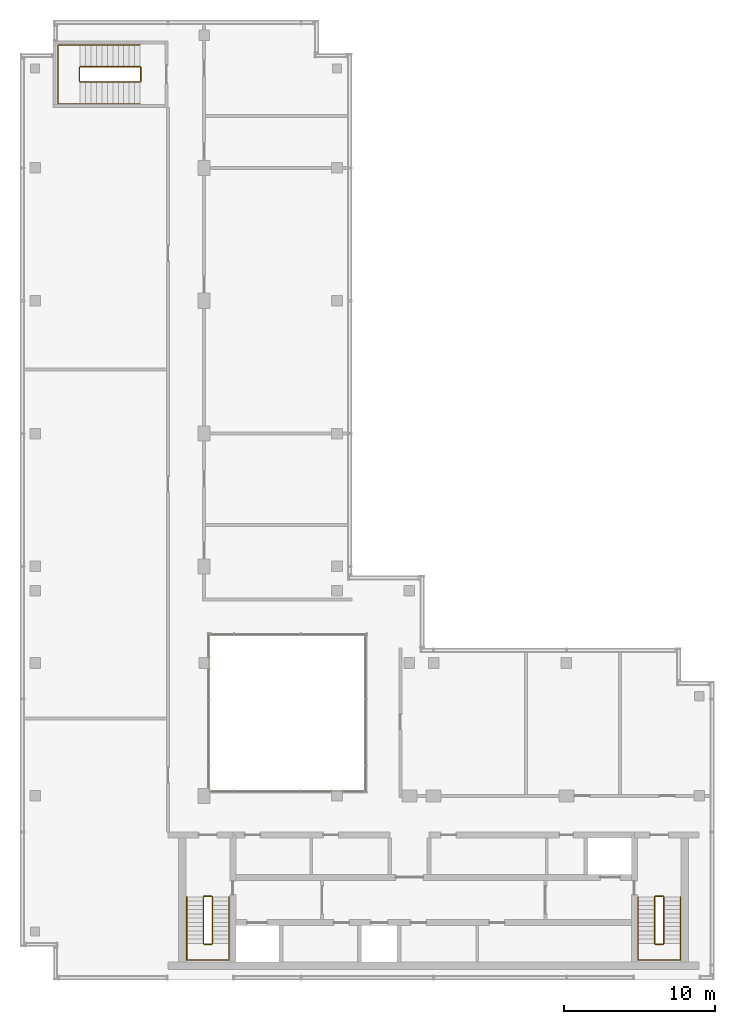
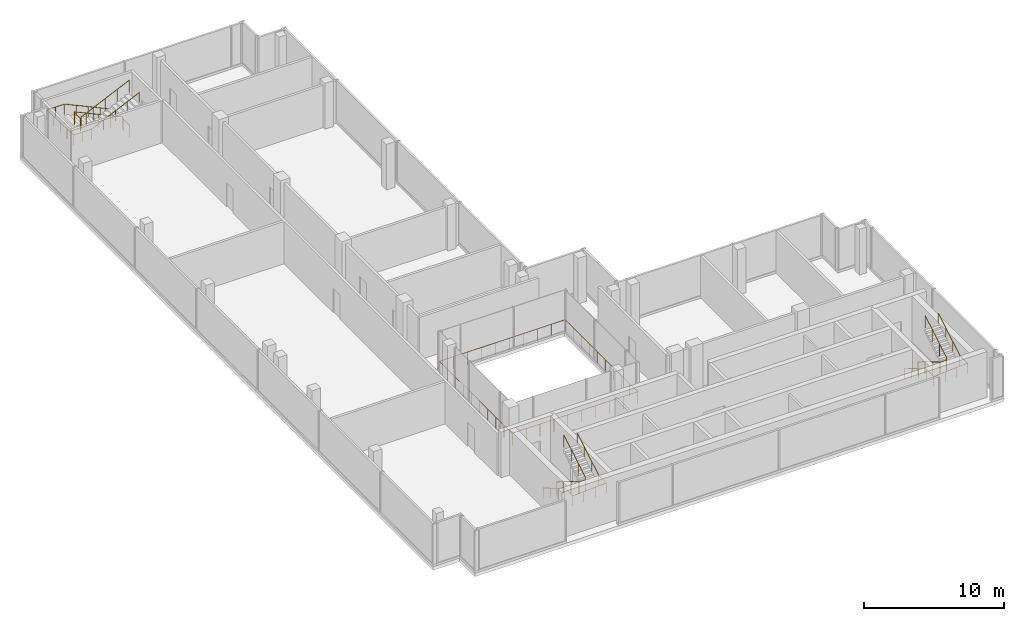
# One storey, part 11 of 11: 7 railings.
"""IFC4 building model written with IfcOpenShell, lengths in metres."""

from ifc_helpers import new_model, si_unit, direction, frame, origin, origin_2d, place, context, subcontext, project, spatial, circle, extrude, material, type_object, element, save


model = new_model("IFC4")

# Units and contexts
model_context = context("Model", 3, precision=1e-05, world=origin(), true_north=direction((0.0, 1.0)))
body_context = subcontext(model_context, "Body", "Model", "MODEL_VIEW")
ifc_project = project(units=[si_unit("LENGTHUNIT", "METRE"), si_unit("AREAUNIT", "SQUARE_METRE"), si_unit("VOLUMEUNIT", "CUBIC_METRE"), si_unit("PLANEANGLEUNIT", "RADIAN"), si_unit("MASSUNIT", "GRAM", prefix="KILO")], contexts=[model_context])

# Site, building, storey
site_placement = place(None, origin())
site = spatial("IfcSite", under=ifc_project, at=site_placement, CompositionType="ELEMENT")
building_placement = place(site_placement, origin())
building = spatial("IfcBuilding", under=site, at=building_placement, Name="Kemantara Hotel Tower", CompositionType="ELEMENT")
storey_placement = place(building_placement, frame((0.0, 0.0, 322.199951171875)))
storey = spatial("IfcBuildingStorey", under=building, at=storey_placement, Name="L81", CompositionType="ELEMENT", Elevation=322.199951171875)

# Railings
ifc_material = material(Name="Stainless steel balustrade", Category="steel")
railing_type_1 = type_object("IfcRailingType", Name="STAINLESS STEEL GUARD 1100", PredefinedType="GUARDRAIL", material=ifc_material)
railing_1_placement = place(storey_placement, frame((12.5, 12.5, 0.0)))
element("IfcRailing", 1, at=railing_1_placement, inside=storey, type_object=railing_type_1, Name="ATRIUM GUARD", PredefinedType="GUARDRAIL", context=body_context, shape_type="SweptSolid", body=[
    extrude(circle(Radius=0.02392578125, at=origin_2d()), frame((0.0, 0.0, 1.076171875), z_axis=(1.0, 0.0, 0.0), x_axis=(0.0, 1.0, 0.0)), (0.0, 0.0, 1.0), 10.39990234375),
    extrude(circle(Radius=0.02392578125, at=origin_2d()), frame((10.39990234375, 0.0, 1.076171875), z_axis=(0.0, 1.0, 0.0), x_axis=(-1.0, 0.0, 0.0)), (0.0, 0.0, 1.0), 10.39990234375),
    extrude(circle(Radius=0.02392578125, at=origin_2d()), frame((10.39990234375, 10.39990234375, 1.076171875), z_axis=(-1.0, 0.0, 0.0), x_axis=(0.0, -1.0, 0.0)), (0.0, 0.0, 1.0), 10.39990234375),
    extrude(circle(Radius=0.02392578125, at=origin_2d()), frame((0.0, 10.39990234375, 1.076171875), z_axis=(0.0, -1.0, 0.0), x_axis=(1.0, 0.0, 0.0)), (0.0, 0.0, 1.0), 10.39990234375),
    extrude(circle(Radius=0.02099609375, at=origin_2d()), origin(), (0.0, 0.0, 1.0), 1.052001953125),
    extrude(circle(Radius=0.02099609375, at=origin_2d()), frame((1.155517578125, 0.0, 0.0)), (0.0, 0.0, 1.0), 1.052001953125),
    extrude(circle(Radius=0.02099609375, at=origin_2d()), frame((2.31103515625, 0.0, 0.0)), (0.0, 0.0, 1.0), 1.052001953125),
    extrude(circle(Radius=0.02099609375, at=origin_2d()), frame((3.466552734375, 0.0, 0.0)), (0.0, 0.0, 1.0), 1.052001953125),
    extrude(circle(Radius=0.02099609375, at=origin_2d()), frame((4.6220703125, 0.0, 0.0)), (0.0, 0.0, 1.0), 1.052001953125),
    extrude(circle(Radius=0.02099609375, at=origin_2d()), frame((5.77783203125, 0.0, 0.0)), (0.0, 0.0, 1.0), 1.052001953125),
    extrude(circle(Radius=0.02099609375, at=origin_2d()), frame((6.933349609375, 0.0, 0.0)), (0.0, 0.0, 1.0), 1.052001953125),
    extrude(circle(Radius=0.02099609375, at=origin_2d()), frame((8.0888671875, 0.0, 0.0)), (0.0, 0.0, 1.0), 1.052001953125),
    extrude(circle(Radius=0.02099609375, at=origin_2d()), frame((9.244384765625, 0.0, 0.0)), (0.0, 0.0, 1.0), 1.052001953125),
    extrude(circle(Radius=0.02099609375, at=origin_2d()), frame((10.39990234375, 0.0, 0.0)), (0.0, 0.0, 1.0), 1.052001953125),
    extrude(circle(Radius=0.02099609375, at=origin_2d()), frame((10.39990234375, 1.155517578125, 0.0)), (0.0, 0.0, 1.0), 1.052001953125),
    extrude(circle(Radius=0.02099609375, at=origin_2d()), frame((10.39990234375, 2.31103515625, 0.0)), (0.0, 0.0, 1.0), 1.052001953125),
    extrude(circle(Radius=0.02099609375, at=origin_2d()), frame((10.39990234375, 3.466552734375, 0.0)), (0.0, 0.0, 1.0), 1.052001953125),
    extrude(circle(Radius=0.02099609375, at=origin_2d()), frame((10.39990234375, 4.6220703125, 0.0)), (0.0, 0.0, 1.0), 1.052001953125),
    extrude(circle(Radius=0.02099609375, at=origin_2d()), frame((10.39990234375, 5.77783203125, 0.0)), (0.0, 0.0, 1.0), 1.052001953125),
    extrude(circle(Radius=0.02099609375, at=origin_2d()), frame((10.39990234375, 6.933349609375, 0.0)), (0.0, 0.0, 1.0), 1.052001953125),
    extrude(circle(Radius=0.02099609375, at=origin_2d()), frame((10.39990234375, 8.0888671875, 0.0)), (0.0, 0.0, 1.0), 1.052001953125),
    extrude(circle(Radius=0.02099609375, at=origin_2d()), frame((10.39990234375, 9.244384765625, 0.0)), (0.0, 0.0, 1.0), 1.052001953125),
    extrude(circle(Radius=0.02099609375, at=origin_2d()), frame((10.39990234375, 10.39990234375, 0.0)), (0.0, 0.0, 1.0), 1.052001953125),
    extrude(circle(Radius=0.02099609375, at=origin_2d()), frame((9.244384765625, 10.39990234375, 0.0)), (0.0, 0.0, 1.0), 1.052001953125),
    extrude(circle(Radius=0.02099609375, at=origin_2d()), frame((8.0888671875, 10.39990234375, 0.0)), (0.0, 0.0, 1.0), 1.052001953125),
    extrude(circle(Radius=0.02099609375, at=origin_2d()), frame((6.933349609375, 10.39990234375, 0.0)), (0.0, 0.0, 1.0), 1.052001953125),
    extrude(circle(Radius=0.02099609375, at=origin_2d()), frame((5.77783203125, 10.39990234375, 0.0)), (0.0, 0.0, 1.0), 1.052001953125),
    extrude(circle(Radius=0.02099609375, at=origin_2d()), frame((4.6220703125, 10.39990234375, 0.0)), (0.0, 0.0, 1.0), 1.052001953125),
    extrude(circle(Radius=0.02099609375, at=origin_2d()), frame((3.466552734375, 10.39990234375, 0.0)), (0.0, 0.0, 1.0), 1.052001953125),
    extrude(circle(Radius=0.02099609375, at=origin_2d()), frame((2.31103515625, 10.39990234375, 0.0)), (0.0, 0.0, 1.0), 1.052001953125),
    extrude(circle(Radius=0.02099609375, at=origin_2d()), frame((1.155517578125, 10.39990234375, 0.0)), (0.0, 0.0, 1.0), 1.052001953125),
    extrude(circle(Radius=0.02099609375, at=origin_2d()), frame((0.0, 10.39990234375, 0.0)), (0.0, 0.0, 1.0), 1.052001953125),
    extrude(circle(Radius=0.02099609375, at=origin_2d()), frame((0.0, 9.244384765625, 0.0)), (0.0, 0.0, 1.0), 1.052001953125),
    extrude(circle(Radius=0.02099609375, at=origin_2d()), frame((0.0, 8.0888671875, 0.0)), (0.0, 0.0, 1.0), 1.052001953125),
    extrude(circle(Radius=0.02099609375, at=origin_2d()), frame((0.0, 6.933349609375, 0.0)), (0.0, 0.0, 1.0), 1.052001953125),
    extrude(circle(Radius=0.02099609375, at=origin_2d()), frame((0.0, 5.77783203125, 0.0)), (0.0, 0.0, 1.0), 1.052001953125),
    extrude(circle(Radius=0.02099609375, at=origin_2d()), frame((0.0, 4.6220703125, 0.0)), (0.0, 0.0, 1.0), 1.052001953125),
    extrude(circle(Radius=0.02099609375, at=origin_2d()), frame((0.0, 3.466552734375, 0.0)), (0.0, 0.0, 1.0), 1.052001953125),
    extrude(circle(Radius=0.02099609375, at=origin_2d()), frame((0.0, 2.31103515625, 0.0)), (0.0, 0.0, 1.0), 1.052001953125),
    extrude(circle(Radius=0.02099609375, at=origin_2d()), frame((0.0, 1.155517578125, 0.0)), (0.0, 0.0, 1.0), 1.052001953125),
])
railing_type_2 = type_object("IfcRailingType", Name="Stair guard 1100 mm", PredefinedType="GUARDRAIL", material=ifc_material)
railing_2_placement = place(storey_placement, frame((12.75, 5.5, 4.0)))
element("IfcRailing", 2, at=railing_2_placement, inside=storey, type_object=railing_type_2, Name="L81 ST1 stair guard 1", PredefinedType="GUARDRAIL", context=body_context, shape_type="SweptSolid", body=[
    extrude(circle(Radius=0.02392578125, at=origin_2d()), frame((0.0, 0.0, 1.076171875), z_axis=(0.0, -0.859308565015, -0.511457515432), x_axis=(1.0, 0.0, 0.0)), (0.0, 0.0, 1.0), 3.58447265625),
    extrude(circle(Radius=0.02392578125, at=origin_2d()), frame((0.0, -3.080078125, -0.75732421875), z_axis=(-0.276389281352, -0.275041040955, -0.920848191041), x_axis=(0.705375805398, -0.708833529934, 0.0)), (0.0, 0.0, 1.0), 0.18115234375),
    extrude(circle(Radius=0.02392578125, at=origin_2d()), frame((-0.050048828125, -3.1298828125, -0.923828125), z_axis=(-1.0, 0.0, 0.0), x_axis=(0.0, -1.0, 0.0)), (0.0, 0.0, 1.0), 0.5),
    extrude(circle(Radius=0.02392578125, at=origin_2d()), frame((-0.550048828125, -3.1298828125, -0.923828125), z_axis=(-0.708833529934, 0.705375805398, 0.0), x_axis=(-0.705375805398, -0.708833529934, 0.0)), (0.0, 0.0, 1.0), 0.070556640625),
    extrude(circle(Radius=0.02392578125, at=origin_2d()), frame((-0.60009765625, -3.080078125, -0.923828125), z_axis=(0.0, 0.859308565015, -0.511457515432), x_axis=(-1.0, 0.0, 0.0)), (0.0, 0.0, 1.0), 3.58447265625),
    extrude(circle(Radius=0.02392578125, at=origin_2d()), frame((-0.60009765625, 0.0, -2.75732421875), z_axis=(0.27628659633, 0.27628659633, -0.920506074601), x_axis=(-0.707106781187, 0.707106781187, 0.0)), (0.0, 0.0, 1.0), 0.18115234375),
    extrude(circle(Radius=0.02392578125, at=origin_2d()), frame((-0.550048828125, 0.050048828125, -2.923828125), z_axis=(1.0, 0.0, 0.0), x_axis=(0.0, 1.0, 0.0)), (0.0, 0.0, 1.0), 0.5),
    extrude(circle(Radius=0.02099609375, at=origin_2d()), origin(), (0.0, 0.0, 1.0), 1.052001953125),
    extrude(circle(Radius=0.02099609375, at=origin_2d()), frame((0.0, -1.026611328125, -0.611083984375)), (0.0, 0.0, 1.0), 1.052001953125),
    extrude(circle(Radius=0.02099609375, at=origin_2d()), frame((0.0, -2.053466796875, -1.22216796875)), (0.0, 0.0, 1.0), 1.052001953125),
    extrude(circle(Radius=0.02099609375, at=origin_2d()), frame((0.0, -3.080078125, -1.833251953125)), (0.0, 0.0, 1.0), 1.052001953125),
    extrude(circle(Radius=0.02099609375, at=origin_2d()), frame((-0.050048828125, -3.1298828125, -2.0)), (0.0, 0.0, 1.0), 1.052001953125),
    extrude(circle(Radius=0.02099609375, at=origin_2d()), frame((-0.550048828125, -3.1298828125, -2.0)), (0.0, 0.0, 1.0), 1.052001953125),
    extrude(circle(Radius=0.02099609375, at=origin_2d()), frame((-0.60009765625, -3.080078125, -2.0)), (0.0, 0.0, 1.0), 1.052001953125),
    extrude(circle(Radius=0.02099609375, at=origin_2d()), frame((-0.60009765625, -2.053466796875, -2.611083984375)), (0.0, 0.0, 1.0), 1.052001953125),
    extrude(circle(Radius=0.02099609375, at=origin_2d()), frame((-0.60009765625, -1.026611328125, -3.22216796875)), (0.0, 0.0, 1.0), 1.052001953125),
    extrude(circle(Radius=0.02099609375, at=origin_2d()), frame((-0.60009765625, 0.0, -3.833251953125)), (0.0, 0.0, 1.0), 1.052001953125),
    extrude(circle(Radius=0.02099609375, at=origin_2d()), frame((-0.550048828125, 0.050048828125, -4.0)), (0.0, 0.0, 1.0), 1.052001953125),
    extrude(circle(Radius=0.02099609375, at=origin_2d()), frame((-0.050048828125, 0.050048828125, -4.0)), (0.0, 0.0, 1.0), 1.052001953125),
])
railing_3_placement = place(storey_placement, frame((42.64990234375, 5.5, 4.0)))
element("IfcRailing", 3, at=railing_3_placement, inside=storey, type_object=railing_type_2, Name="L81 ST2 stair guard 1", PredefinedType="GUARDRAIL", context=body_context, shape_type="SweptSolid", body=[
    extrude(circle(Radius=0.02392578125, at=origin_2d()), frame((0.0, 0.0, 1.076171875), z_axis=(0.0, -0.859308565015, -0.511457515432), x_axis=(1.0, 0.0, 0.0)), (0.0, 0.0, 1.0), 3.58447265625),
    extrude(circle(Radius=0.02392578125, at=origin_2d()), frame((0.0, -3.080078125, -0.75732421875), z_axis=(-0.275143339093, -0.275143339093, -0.92119068922), x_axis=(0.707106781187, -0.707106781187, 0.0)), (0.0, 0.0, 1.0), 0.180908203125),
    extrude(circle(Radius=0.02392578125, at=origin_2d()), frame((-0.0498046875, -3.1298828125, -0.923828125), z_axis=(-1.0, 0.0, 0.0), x_axis=(0.0, -1.0, 0.0)), (0.0, 0.0, 1.0), 0.5),
    extrude(circle(Radius=0.02392578125, at=origin_2d()), frame((-0.5498046875, -3.1298828125, -0.923828125), z_axis=(-0.708833529934, 0.705375805398, 0.0), x_axis=(-0.705375805398, -0.708833529934, 0.0)), (0.0, 0.0, 1.0), 0.070556640625),
    extrude(circle(Radius=0.02392578125, at=origin_2d()), frame((-0.599853515625, -3.080078125, -0.923828125), z_axis=(0.0, 0.859308565015, -0.511457515432), x_axis=(-1.0, 0.0, 0.0)), (0.0, 0.0, 1.0), 3.58447265625),
    extrude(circle(Radius=0.02392578125, at=origin_2d()), frame((-0.599853515625, 0.0, -2.75732421875), z_axis=(0.27628659633, 0.27628659633, -0.920506074601), x_axis=(-0.707106781187, 0.707106781187, 0.0)), (0.0, 0.0, 1.0), 0.18115234375),
    extrude(circle(Radius=0.02392578125, at=origin_2d()), frame((-0.5498046875, 0.050048828125, -2.923828125), z_axis=(1.0, 0.0, 0.0), x_axis=(0.0, 1.0, 0.0)), (0.0, 0.0, 1.0), 0.5),
    extrude(circle(Radius=0.02099609375, at=origin_2d()), origin(), (0.0, 0.0, 1.0), 1.052001953125),
    extrude(circle(Radius=0.02099609375, at=origin_2d()), frame((0.0, -1.026611328125, -0.611083984375)), (0.0, 0.0, 1.0), 1.052001953125),
    extrude(circle(Radius=0.02099609375, at=origin_2d()), frame((0.0, -2.053466796875, -1.22216796875)), (0.0, 0.0, 1.0), 1.052001953125),
    extrude(circle(Radius=0.02099609375, at=origin_2d()), frame((0.0, -3.080078125, -1.833251953125)), (0.0, 0.0, 1.0), 1.052001953125),
    extrude(circle(Radius=0.02099609375, at=origin_2d()), frame((-0.0498046875, -3.1298828125, -2.0)), (0.0, 0.0, 1.0), 1.052001953125),
    extrude(circle(Radius=0.02099609375, at=origin_2d()), frame((-0.5498046875, -3.1298828125, -2.0)), (0.0, 0.0, 1.0), 1.052001953125),
    extrude(circle(Radius=0.02099609375, at=origin_2d()), frame((-0.599853515625, -3.080078125, -2.0)), (0.0, 0.0, 1.0), 1.052001953125),
    extrude(circle(Radius=0.02099609375, at=origin_2d()), frame((-0.599853515625, -2.053466796875, -2.611083984375)), (0.0, 0.0, 1.0), 1.052001953125),
    extrude(circle(Radius=0.02099609375, at=origin_2d()), frame((-0.599853515625, -1.026611328125, -3.22216796875)), (0.0, 0.0, 1.0), 1.052001953125),
    extrude(circle(Radius=0.02099609375, at=origin_2d()), frame((-0.599853515625, 0.0, -3.833251953125)), (0.0, 0.0, 1.0), 1.052001953125),
    extrude(circle(Radius=0.02099609375, at=origin_2d()), frame((-0.5498046875, 0.050048828125, -4.0)), (0.0, 0.0, 1.0), 1.052001953125),
    extrude(circle(Radius=0.02099609375, at=origin_2d()), frame((-0.0498046875, 0.050048828125, -4.0)), (0.0, 0.0, 1.0), 1.052001953125),
])
railing_4_placement = place(storey_placement, frame((7.949951171875, 59.5, 4.0)))
element("IfcRailing", 4, at=railing_4_placement, inside=storey, type_object=railing_type_2, Name="L81 ST4 stair guard 1", PredefinedType="GUARDRAIL", context=body_context, shape_type="SweptSolid", body=[
    extrude(circle(Radius=0.02392578125, at=origin_2d()), frame((0.0, 0.0, 1.076171875), z_axis=(-0.907472437036, 0.0, -0.420111623286), x_axis=(0.0, -1.0, 0.0)), (0.0, 0.0, 1.0), 4.36376953125),
    extrude(circle(Radius=0.02392578125, at=origin_2d()), frame((-3.9599609375, 0.0, -0.75732421875), z_axis=(-0.27628659633, 0.27628659633, -0.920506074601), x_axis=(-0.707106781187, -0.707106781187, 0.0)), (0.0, 0.0, 1.0), 0.18115234375),
    extrude(circle(Radius=0.02392578125, at=origin_2d()), frame((-4.010009765625, 0.050048828125, -0.923828125), z_axis=(0.0, 1.0, 0.0), x_axis=(-1.0, 0.0, 0.0)), (0.0, 0.0, 1.0), 0.89990234375),
    extrude(circle(Radius=0.02392578125, at=origin_2d()), frame((-4.010009765625, 0.949951171875, -0.923828125), z_axis=(0.707106781187, 0.707106781187, 0.0), x_axis=(-0.707106781187, 0.707106781187, 0.0)), (0.0, 0.0, 1.0), 0.07080078125),
    extrude(circle(Radius=0.02392578125, at=origin_2d()), frame((-3.9599609375, 1.0, -0.923828125), z_axis=(0.907472437036, 0.0, -0.420111623286), x_axis=(0.0, 1.0, 0.0)), (0.0, 0.0, 1.0), 4.36376953125),
    extrude(circle(Radius=0.02392578125, at=origin_2d()), frame((0.0, 1.0, -2.75732421875), z_axis=(0.27628659633, -0.27628659633, -0.920506074601), x_axis=(0.707106781187, 0.707106781187, 0.0)), (0.0, 0.0, 1.0), 0.18115234375),
    extrude(circle(Radius=0.02392578125, at=origin_2d()), frame((0.050048828125, 0.949951171875, -2.923828125), z_axis=(0.0, -1.0, 0.0), x_axis=(1.0, 0.0, 0.0)), (0.0, 0.0, 1.0), 0.89990234375),
    extrude(circle(Radius=0.02099609375, at=origin_2d()), origin(), (0.0, 0.0, 1.0), 1.052001953125),
    extrude(circle(Radius=0.02099609375, at=origin_2d()), frame((-0.989990234375, 0.0, -0.458251953125)), (0.0, 0.0, 1.0), 1.052001953125),
    extrude(circle(Radius=0.02099609375, at=origin_2d()), frame((-1.97998046875, 0.0, -0.91650390625)), (0.0, 0.0, 1.0), 1.052001953125),
    extrude(circle(Radius=0.02099609375, at=origin_2d()), frame((-2.969970703125, 0.0, -1.375)), (0.0, 0.0, 1.0), 1.052001953125),
    extrude(circle(Radius=0.02099609375, at=origin_2d()), frame((-3.9599609375, 0.0, -1.833251953125)), (0.0, 0.0, 1.0), 1.052001953125),
    extrude(circle(Radius=0.02099609375, at=origin_2d()), frame((-4.010009765625, 0.050048828125, -2.0)), (0.0, 0.0, 1.0), 1.052001953125),
    extrude(circle(Radius=0.02099609375, at=origin_2d()), frame((-4.010009765625, 0.949951171875, -2.0)), (0.0, 0.0, 1.0), 1.052001953125),
    extrude(circle(Radius=0.02099609375, at=origin_2d()), frame((-3.9599609375, 1.0, -2.0)), (0.0, 0.0, 1.0), 1.052001953125),
    extrude(circle(Radius=0.02099609375, at=origin_2d()), frame((-2.969970703125, 1.0, -2.458251953125)), (0.0, 0.0, 1.0), 1.052001953125),
    extrude(circle(Radius=0.02099609375, at=origin_2d()), frame((-1.97998046875, 1.0, -2.91650390625)), (0.0, 0.0, 1.0), 1.052001953125),
    extrude(circle(Radius=0.02099609375, at=origin_2d()), frame((-0.989990234375, 1.0, -3.375)), (0.0, 0.0, 1.0), 1.052001953125),
    extrude(circle(Radius=0.02099609375, at=origin_2d()), frame((0.0, 1.0, -3.833251953125)), (0.0, 0.0, 1.0), 1.052001953125),
    extrude(circle(Radius=0.02099609375, at=origin_2d()), frame((0.050048828125, 0.949951171875, -4.0)), (0.0, 0.0, 1.0), 1.052001953125),
    extrude(circle(Radius=0.02099609375, at=origin_2d()), frame((0.050048828125, 0.050048828125, -4.0)), (0.0, 0.0, 1.0), 1.052001953125),
])
railing_type_3 = type_object("IfcRailingType", Name="Stair handrail 900 mm", PredefinedType="HANDRAIL", material=ifc_material)
railing_5_placement = place(storey_placement, frame((11.050048828125, 5.5, 0.166748046875)))
element("IfcRailing", 5, at=railing_5_placement, inside=storey, type_object=railing_type_3, Name="L81 ST1 stair handrail 1", PredefinedType="HANDRAIL", context=body_context, shape_type="SweptSolid", body=[
    extrude(circle(Radius=0.02392578125, at=origin_2d()), frame((0.0, 0.0, 0.8759765625), z_axis=(0.0, -0.859308565015, 0.511457515432), x_axis=(1.0, 0.0, 0.0)), (0.0, 0.0, 1.0), 3.58447265625),
    extrude(circle(Radius=0.02392578125, at=origin_2d()), frame((0.0, -3.080078125, 2.708984375), z_axis=(0.0, -1.0, 0.0), x_axis=(1.0, 0.0, 0.0)), (0.0, 0.0, 1.0), 1.099853515625),
    extrude(circle(Radius=0.02392578125, at=origin_2d()), frame((0.0, -4.179931640625, 2.708984375), z_axis=(0.998231491969, 0.0, 0.059446517483), x_axis=(0.0, 1.0, 0.0)), (0.0, 0.0, 1.0), 2.804931640625),
    extrude(circle(Radius=0.02392578125, at=origin_2d()), frame((2.800048828125, -4.179931640625, 2.8759765625), z_axis=(0.0, 1.0, 0.0), x_axis=(-1.0, 0.0, 0.0)), (0.0, 0.0, 1.0), 1.099853515625),
    extrude(circle(Radius=0.02392578125, at=origin_2d()), frame((2.800048828125, -3.080078125, 2.8759765625), z_axis=(0.0, 0.859308565015, 0.511457515432), x_axis=(-1.0, 0.0, 0.0)), (0.0, 0.0, 1.0), 3.58447265625),
    extrude(circle(Radius=0.02099609375, at=origin_2d()), origin(), (0.0, 0.0, 1.0), 0.851806640625),
    extrude(circle(Radius=0.02099609375, at=origin_2d()), frame((0.0, -1.026611328125, 0.611083984375)), (0.0, 0.0, 1.0), 0.851806640625),
    extrude(circle(Radius=0.02099609375, at=origin_2d()), frame((0.0, -2.053466796875, 1.22216796875)), (0.0, 0.0, 1.0), 0.851806640625),
    extrude(circle(Radius=0.02099609375, at=origin_2d()), frame((0.0, -3.080078125, 1.833251953125)), (0.0, 0.0, 1.0), 0.851806640625),
    extrude(circle(Radius=0.02099609375, at=origin_2d()), frame((0.0, -4.179931640625, 1.833251953125)), (0.0, 0.0, 1.0), 0.851806640625),
    extrude(circle(Radius=0.02099609375, at=origin_2d()), frame((0.933349609375, -4.179931640625, 1.888916015625)), (0.0, 0.0, 1.0), 0.851806640625),
    extrude(circle(Radius=0.02099609375, at=origin_2d()), frame((1.86669921875, -4.179931640625, 1.9443359375)), (0.0, 0.0, 1.0), 0.851806640625),
    extrude(circle(Radius=0.02099609375, at=origin_2d()), frame((2.800048828125, -4.179931640625, 2.0)), (0.0, 0.0, 1.0), 0.851806640625),
    extrude(circle(Radius=0.02099609375, at=origin_2d()), frame((2.800048828125, -3.080078125, 2.0)), (0.0, 0.0, 1.0), 0.851806640625),
    extrude(circle(Radius=0.02099609375, at=origin_2d()), frame((2.800048828125, -2.053466796875, 2.611083984375)), (0.0, 0.0, 1.0), 0.851806640625),
    extrude(circle(Radius=0.02099609375, at=origin_2d()), frame((2.800048828125, -1.026611328125, 3.22216796875)), (0.0, 0.0, 1.0), 0.851806640625),
    extrude(circle(Radius=0.02099609375, at=origin_2d()), frame((2.800048828125, 0.0, 3.833251953125)), (0.0, 0.0, 1.0), 0.851806640625),
])
railing_6_placement = place(storey_placement, frame((40.949951171875, 5.5, 0.166748046875)))
element("IfcRailing", 6, at=railing_6_placement, inside=storey, type_object=railing_type_3, Name="L81 ST2 stair handrail 1", PredefinedType="HANDRAIL", context=body_context, shape_type="SweptSolid", body=[
    extrude(circle(Radius=0.02392578125, at=origin_2d()), frame((0.0, 0.0, 0.8759765625), z_axis=(0.0, -0.859308565015, 0.511457515432), x_axis=(1.0, 0.0, 0.0)), (0.0, 0.0, 1.0), 3.58447265625),
    extrude(circle(Radius=0.02392578125, at=origin_2d()), frame((0.0, -3.080078125, 2.708984375), z_axis=(0.0, -1.0, 0.0), x_axis=(1.0, 0.0, 0.0)), (0.0, 0.0, 1.0), 1.099853515625),
    extrude(circle(Radius=0.02392578125, at=origin_2d()), frame((0.0, -4.179931640625, 2.708984375), z_axis=(0.998231491969, 0.0, 0.059446517483), x_axis=(0.0, 1.0, 0.0)), (0.0, 0.0, 1.0), 2.804931640625),
    extrude(circle(Radius=0.02392578125, at=origin_2d()), frame((2.800048828125, -4.179931640625, 2.8759765625), z_axis=(0.0, 1.0, 0.0), x_axis=(-1.0, 0.0, 0.0)), (0.0, 0.0, 1.0), 1.099853515625),
    extrude(circle(Radius=0.02392578125, at=origin_2d()), frame((2.800048828125, -3.080078125, 2.8759765625), z_axis=(0.0, 0.859308565015, 0.511457515432), x_axis=(-1.0, 0.0, 0.0)), (0.0, 0.0, 1.0), 3.58447265625),
    extrude(circle(Radius=0.02099609375, at=origin_2d()), origin(), (0.0, 0.0, 1.0), 0.851806640625),
    extrude(circle(Radius=0.02099609375, at=origin_2d()), frame((0.0, -1.026611328125, 0.611083984375)), (0.0, 0.0, 1.0), 0.851806640625),
    extrude(circle(Radius=0.02099609375, at=origin_2d()), frame((0.0, -2.053466796875, 1.22216796875)), (0.0, 0.0, 1.0), 0.851806640625),
    extrude(circle(Radius=0.02099609375, at=origin_2d()), frame((0.0, -3.080078125, 1.833251953125)), (0.0, 0.0, 1.0), 0.851806640625),
    extrude(circle(Radius=0.02099609375, at=origin_2d()), frame((0.0, -4.179931640625, 1.833251953125)), (0.0, 0.0, 1.0), 0.851806640625),
    extrude(circle(Radius=0.02099609375, at=origin_2d()), frame((0.933349609375, -4.179931640625, 1.888916015625)), (0.0, 0.0, 1.0), 0.851806640625),
    extrude(circle(Radius=0.02099609375, at=origin_2d()), frame((1.86669921875, -4.179931640625, 1.9443359375)), (0.0, 0.0, 1.0), 0.851806640625),
    extrude(circle(Radius=0.02099609375, at=origin_2d()), frame((2.800048828125, -4.179931640625, 2.0)), (0.0, 0.0, 1.0), 0.851806640625),
    extrude(circle(Radius=0.02099609375, at=origin_2d()), frame((2.800048828125, -3.080078125, 2.0)), (0.0, 0.0, 1.0), 0.851806640625),
    extrude(circle(Radius=0.02099609375, at=origin_2d()), frame((2.800048828125, -2.053466796875, 2.611083984375)), (0.0, 0.0, 1.0), 0.851806640625),
    extrude(circle(Radius=0.02099609375, at=origin_2d()), frame((2.800048828125, -1.026611328125, 3.22216796875)), (0.0, 0.0, 1.0), 0.851806640625),
    extrude(circle(Radius=0.02099609375, at=origin_2d()), frame((2.800048828125, 0.0, 3.833251953125)), (0.0, 0.0, 1.0), 0.851806640625),
])
railing_7_placement = place(storey_placement, frame((7.949951171875, 61.949951171875, 0.166748046875)))
element("IfcRailing", 7, at=railing_7_placement, inside=storey, type_object=railing_type_3, Name="L81 ST4 stair handrail 1", PredefinedType="HANDRAIL", context=body_context, shape_type="SweptSolid", body=[
    extrude(circle(Radius=0.02392578125, at=origin_2d()), frame((0.0, 0.0, 0.8759765625), z_axis=(-0.907472437036, 0.0, 0.420111623286), x_axis=(0.0, -1.0, 0.0)), (0.0, 0.0, 1.0), 4.36376953125),
    extrude(circle(Radius=0.02392578125, at=origin_2d()), frame((-3.9599609375, 0.0, 2.708984375), z_axis=(-1.0, 0.0, 0.0), x_axis=(0.0, -1.0, 0.0)), (0.0, 0.0, 1.0), 1.469970703125),
    extrude(circle(Radius=0.02392578125, at=origin_2d()), frame((-5.429931640625, 0.0, 2.708984375), z_axis=(0.0, -0.999087171733, 0.042717950313), x_axis=(1.0, 0.0, 0.0)), (0.0, 0.0, 1.0), 3.903564453125),
    extrude(circle(Radius=0.02392578125, at=origin_2d()), frame((-5.429931640625, -3.89990234375, 2.8759765625), z_axis=(1.0, 0.0, 0.0), x_axis=(0.0, 1.0, 0.0)), (0.0, 0.0, 1.0), 1.469970703125),
    extrude(circle(Radius=0.02392578125, at=origin_2d()), frame((-3.9599609375, -3.89990234375, 2.8759765625), z_axis=(0.907472437036, 0.0, 0.420111623286), x_axis=(0.0, 1.0, 0.0)), (0.0, 0.0, 1.0), 4.36376953125),
    extrude(circle(Radius=0.02099609375, at=origin_2d()), origin(), (0.0, 0.0, 1.0), 0.851806640625),
    extrude(circle(Radius=0.02099609375, at=origin_2d()), frame((-0.989990234375, 0.0, 0.458251953125)), (0.0, 0.0, 1.0), 0.851806640625),
    extrude(circle(Radius=0.02099609375, at=origin_2d()), frame((-1.97998046875, 0.0, 0.91650390625)), (0.0, 0.0, 1.0), 0.851806640625),
    extrude(circle(Radius=0.02099609375, at=origin_2d()), frame((-2.969970703125, 0.0, 1.375)), (0.0, 0.0, 1.0), 0.851806640625),
    extrude(circle(Radius=0.02099609375, at=origin_2d()), frame((-3.9599609375, 0.0, 1.833251953125)), (0.0, 0.0, 1.0), 0.851806640625),
    extrude(circle(Radius=0.02099609375, at=origin_2d()), frame((-4.69482421875, 0.0, 1.833251953125)), (0.0, 0.0, 1.0), 0.851806640625),
    extrude(circle(Radius=0.02099609375, at=origin_2d()), frame((-5.429931640625, 0.0, 1.833251953125)), (0.0, 0.0, 1.0), 0.851806640625),
    extrude(circle(Radius=0.02099609375, at=origin_2d()), frame((-5.429931640625, -0.97509765625, 1.875)), (0.0, 0.0, 1.0), 0.851806640625),
    extrude(circle(Radius=0.02099609375, at=origin_2d()), frame((-5.429931640625, -1.949951171875, 1.91650390625)), (0.0, 0.0, 1.0), 0.851806640625),
    extrude(circle(Radius=0.02099609375, at=origin_2d()), frame((-5.429931640625, -2.9248046875, 1.958251953125)), (0.0, 0.0, 1.0), 0.851806640625),
    extrude(circle(Radius=0.02099609375, at=origin_2d()), frame((-5.429931640625, -3.89990234375, 2.0)), (0.0, 0.0, 1.0), 0.851806640625),
    extrude(circle(Radius=0.02099609375, at=origin_2d()), frame((-4.69482421875, -3.89990234375, 2.0)), (0.0, 0.0, 1.0), 0.851806640625),
    extrude(circle(Radius=0.02099609375, at=origin_2d()), frame((-3.9599609375, -3.89990234375, 2.0)), (0.0, 0.0, 1.0), 0.851806640625),
    extrude(circle(Radius=0.02099609375, at=origin_2d()), frame((-2.969970703125, -3.89990234375, 2.458251953125)), (0.0, 0.0, 1.0), 0.851806640625),
    extrude(circle(Radius=0.02099609375, at=origin_2d()), frame((-1.97998046875, -3.89990234375, 2.91650390625)), (0.0, 0.0, 1.0), 0.851806640625),
    extrude(circle(Radius=0.02099609375, at=origin_2d()), frame((-0.989990234375, -3.89990234375, 3.375)), (0.0, 0.0, 1.0), 0.851806640625),
    extrude(circle(Radius=0.02099609375, at=origin_2d()), frame((0.0, -3.89990234375, 3.833251953125)), (0.0, 0.0, 1.0), 0.851806640625),
])

save(model, "model.ifc")
